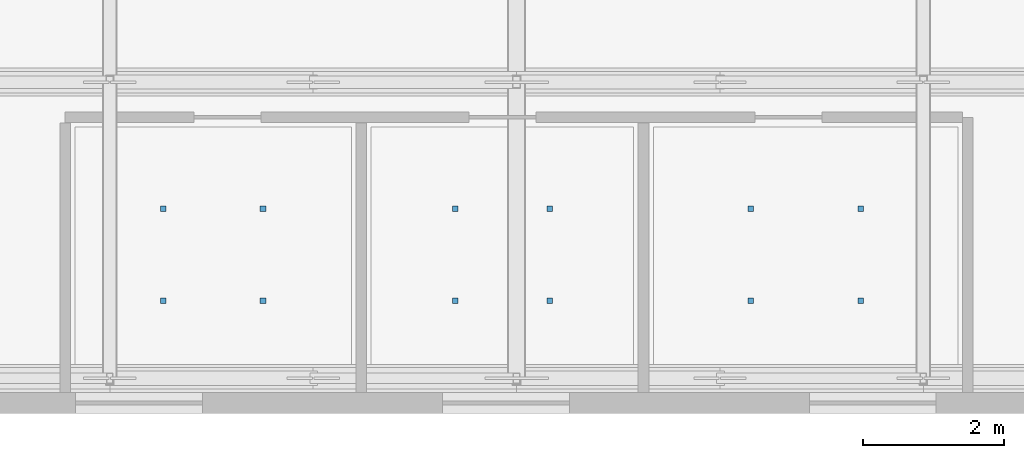
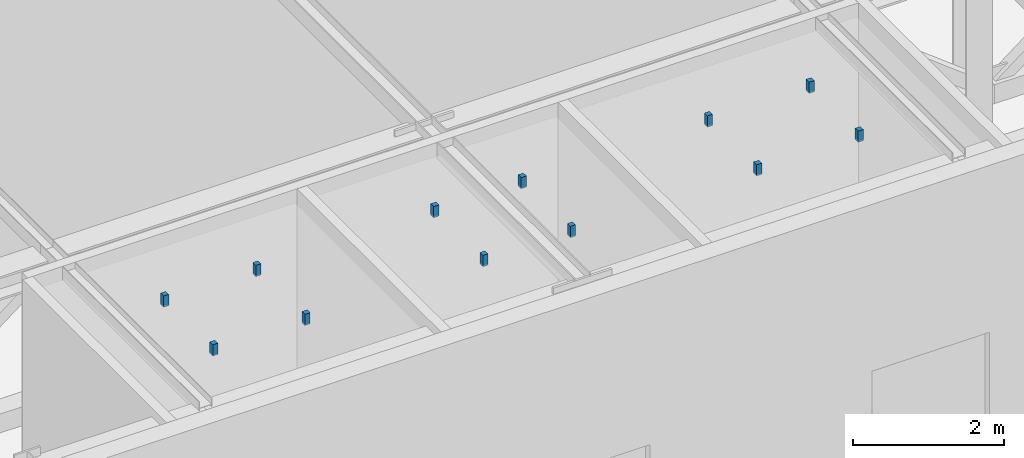
# One storey, part 27 of 29: 12 discrete accessories.
"""IFC4 building model written with IfcOpenShell, lengths in metres."""

import ifcopenshell
import ifcopenshell.guid

model = None  # the IFC model being written
_history = None  # IfcOwnerHistory: only IFC2X3 demands one
_inside = {}  # id of a spatial element -> (the spatial element, [elements in it])
_under = {}  # id of a project, library or spatial element -> (it, [spatial elements below it])
_declared = {}  # id of a project -> (the project, [libraries it declares])
_typed = {}  # id of a type object -> (the type object, [elements of that type])
_made_of = {}  # id of a material, layer set ... -> (it, [elements and type objects made of it])


def new_model(schema):
    """Start an empty IFC model of exactly this schema.

    Asked for "IFC4X3", IfcOpenShell would pick the latest addendum, in which some entities
    have other attributes; the version numbers below select the first issue.
    IFC2X3 requires an IfcOwnerHistory on every rooted entity: one is made here for all.
    """
    global model, _history
    if schema == "IFC4X3":
        model = ifcopenshell.file(schema_version=(4, 3, 0, 0))
    else:
        model = ifcopenshell.file(schema=schema)
    _inside.clear()
    _under.clear()
    _declared.clear()
    _typed.clear()
    _made_of.clear()
    _history = None
    if model.schema == "IFC2X3":
        org = make("IfcOrganization", Name="unknown")
        user = make(
            "IfcPersonAndOrganization",
            ThePerson=make("IfcPerson", FamilyName="unknown"),
            TheOrganization=org,
        )
        app = make(
            "IfcApplication",
            ApplicationDeveloper=org,
            Version="unknown",
            ApplicationFullName="unknown",
            ApplicationIdentifier="unknown",
        )
        _history = make(
            "IfcOwnerHistory",
            OwningUser=user,
            OwningApplication=app,
            ChangeAction="ADDED",
            CreationDate=0,
        )
    return model


def make(cls, **values):
    """One entity of the class cls with the attributes given. An attribute that is None is left unset."""
    return model.create_entity(
        cls, **{name: value for name, value in values.items() if value is not None}
    )


def rooted(cls, **values):
    """An entity with a GlobalId (a new one), such as an element, a storey or a relation."""
    return make(cls, GlobalId=ifcopenshell.guid.new(), OwnerHistory=_history, **values)


def si_unit(unit_type, name, prefix=None):
    """IfcSIUnit, for example si_unit("LENGTHUNIT", "METRE", prefix="MILLI")."""
    return make("IfcSIUnit", UnitType=unit_type, Prefix=prefix, Name=name)


def assignment(units):
    """IfcUnitAssignment: the units of a project."""
    return None if units is None else make("IfcUnitAssignment", Units=units)


def point(xyz):
    """IfcCartesianPoint."""
    return None if xyz is None else make("IfcCartesianPoint", Coordinates=xyz)


def direction(xyz):
    """IfcDirection."""
    return None if xyz is None else make("IfcDirection", DirectionRatios=xyz)


def frame(location, z_axis=None, x_axis=None):
    """IfcAxis2Placement3D, a coordinate frame: its origin and axes. An axis left out is left unset."""
    return make(
        "IfcAxis2Placement3D",
        Location=point(location),
        Axis=direction(z_axis),
        RefDirection=direction(x_axis),
    )


def frame_2d(location, x_axis=None):
    """IfcAxis2Placement2D, a coordinate frame in the plane: its origin and x axis."""
    return make(
        "IfcAxis2Placement2D", Location=point(location), RefDirection=direction(x_axis)
    )


def origin():
    """The frame at (0, 0, 0) with its axes left unset."""
    return frame((0.0, 0.0, 0.0))


def origin_2d():
    """The frame at (0, 0) in the plane with its x axis left unset."""
    return frame_2d((0.0, 0.0))


def place(relative_to, where):
    """IfcLocalPlacement: puts the frame where relative to a parent placement (None: the world)."""
    return make(
        "IfcLocalPlacement", PlacementRelTo=relative_to, RelativePlacement=where
    )


def context(
    kind, dimensions, precision=None, world=None, true_north=None, identifier=None
):
    """IfcGeometricRepresentationContext, for example the 3D "Model" context."""
    return make(
        "IfcGeometricRepresentationContext",
        ContextIdentifier=identifier,
        ContextType=kind,
        CoordinateSpaceDimension=dimensions,
        Precision=precision,
        WorldCoordinateSystem=world,
        TrueNorth=true_north,
    )


def subcontext(parent, identifier, kind, view, scale=None):
    """IfcGeometricRepresentationSubContext, for example "Body" below "Model"."""
    return make(
        "IfcGeometricRepresentationSubContext",
        ContextIdentifier=identifier,
        ContextType=kind,
        ParentContext=parent,
        TargetScale=scale,
        TargetView=view,
    )


def project(units=None, contexts=None):
    """IfcProject with its units and contexts."""
    return rooted(
        "IfcProject",
        Name="project",
        RepresentationContexts=contexts,
        UnitsInContext=assignment(units),
    )


def spatial(cls, under=None, at=None, **own):
    """A site, building, storey or space (cls), placed at a placement, below another one or the project."""
    s = rooted(cls, ObjectPlacement=at, **own)
    if under is not None:
        _under.setdefault(under.id(), (under, []))[1].append(s)
    return s


def profile(cls, at=None, kind="AREA", **sizes):
    """A parametric profile (cls). Its sizes go by their IFC names, for example OverallWidth=200.0."""
    return make(cls, ProfileType=kind, Position=at, **sizes)


def rectangle(**sizes):
    """IfcRectangleProfileDef."""
    return profile("IfcRectangleProfileDef", **sizes)


def extrude(swept, where, along, depth):
    """IfcExtrudedAreaSolid: the profile swept, set in the frame where, extruded along a direction by depth."""
    return make(
        "IfcExtrudedAreaSolid",
        SweptArea=swept,
        Position=where,
        ExtrudedDirection=direction(along),
        Depth=depth,
    )


def shape(context_of_items, identifier, shape_type, items):
    """IfcShapeRepresentation: the items that make up one representation, for example the "Body"."""
    return make(
        "IfcShapeRepresentation",
        ContextOfItems=context_of_items,
        RepresentationIdentifier=identifier,
        RepresentationType=shape_type,
        Items=items,
    )


def material(Name=None, Category=None):
    """IfcMaterial."""
    return make("IfcMaterial", Name=Name, Category=Category)


def made_of(thing, what):
    """Note that an element or type object is made of a material, layer set ...; save() writes the relation."""
    if what is not None:
        _made_of.setdefault(what.id(), (what, []))[1].append(thing)
    return thing


def type_object(cls, material=None, **own):
    """A type object (cls), such as IfcWallType, which elements share."""
    return made_of(rooted(cls, **own), material)


def element(
    cls,
    number,
    at=None,
    inside=None,
    cuts=None,
    type_object=None,
    material=None,
    context=None,
    identifier="Body",
    shape_type=None,
    held_by="IfcProductDefinitionShape",
    body=None,
    shapes=None,
    **own,
):
    """One element of the class cls, such as IfcWall. Its Tag is "e" and its number.

    at: its placement. inside: the storey or other place that contains it. cuts: it is an
    opening in that element (IfcRelVoidsElement). A single representation is given by context,
    identifier, shape_type and body (its items); several are given by shapes. held_by: the class
    of the entity that holds the representations. save() writes the other relations.
    """
    e = rooted(cls, Tag="e%d" % number, ObjectPlacement=at, **own)
    if body is not None:
        shapes = [shape(context, identifier, shape_type, body)]
    if shapes is not None:
        e.Representation = make(held_by, Representations=shapes)
    if inside is not None:
        _inside.setdefault(inside.id(), (inside, []))[1].append(e)
    if cuts is not None:
        rooted(
            "IfcRelVoidsElement", RelatingBuildingElement=cuts, RelatedOpeningElement=e
        )
    if type_object is not None:
        _typed.setdefault(type_object.id(), (type_object, []))[1].append(e)
    return made_of(e, material)


def aggregate(whole, parts):
    """IfcRelAggregates: a whole, such as a stair, and the parts it consists of."""
    return rooted("IfcRelAggregates", RelatingObject=whole, RelatedObjects=parts)


def save(model, path):
    """Write the relations noted so far, then the file.

    IfcRelAggregates (storeys below a building ...), IfcRelContainedInSpatialStructure (elements
    in a storey), IfcRelDefinesByType, IfcRelAssociatesMaterial and IfcRelDeclares: one each for
    every whole, place, type object, material and project.
    """
    for whole, parts in _under.values():
        aggregate(whole, parts)
    for where, things in _inside.values():
        rooted(
            "IfcRelContainedInSpatialStructure",
            RelatedElements=things,
            RelatingStructure=where,
        )
    for kind, things in _typed.values():
        rooted("IfcRelDefinesByType", RelatedObjects=things, RelatingType=kind)
    for what, things in _made_of.values():
        rooted("IfcRelAssociatesMaterial", RelatedObjects=things, RelatingMaterial=what)
    for by, libraries in _declared.values():
        rooted("IfcRelDeclares", RelatingContext=by, RelatedDefinitions=libraries)
    model.write(path)


model = new_model("IFC4")

# Units and contexts
model_context = context("Model", 3, precision=1e-05, world=origin(), true_north=direction((0.0, 1.0)))
body_context = subcontext(model_context, "Body", "Model", "MODEL_VIEW")
ifc_project = project(units=[si_unit("LENGTHUNIT", "METRE"), si_unit("AREAUNIT", "SQUARE_METRE"), si_unit("VOLUMEUNIT", "CUBIC_METRE"), si_unit("PLANEANGLEUNIT", "RADIAN"), si_unit("MASSUNIT", "GRAM", prefix="KILO")], contexts=[model_context])

# Site, building, storey
site_placement = place(None, origin())
site = spatial("IfcSite", under=ifc_project, at=site_placement, CompositionType="ELEMENT")
building_placement = place(site_placement, origin())
building = spatial("IfcBuilding", under=site, at=building_placement, Name="Kolvaren Gate Tower and Convention Centre", CompositionType="ELEMENT")
storey_placement = place(building_placement, frame((0.0, 0.0, 21.0)))
storey = spatial("IfcBuildingStorey", under=building, at=storey_placement, Name="L04", CompositionType="ELEMENT", Elevation=21.0)

# Discrete accessories
ifc_material = material(Name="Brushed Stainless Steel Grade 316L", Category="steel")
discrete_accessory_type = type_object("IfcDiscreteAccessoryType", Name="ARCH-ACC-HANGER-80", PredefinedType="BRACKET", material=ifc_material)
for number, where, z_axis, x_axis, name in (
    (1, (74.993896484375, 3.798095703125, 5.06982421875), (0.0, 0.0, 1.0), (1.0, 0.0, 0.0), "Convention L04 Delegate Male Restroom Ceiling Suspension Hanger Clip 1"),
    (2, (76.406005859375, 3.798095703125, 5.06982421875), (0.0, 0.0, 1.0), (1.0, 0.0, 0.0), "Convention L04 Delegate Male Restroom Ceiling Suspension Hanger Clip 2"),
    (3, (74.993896484375, 5.10205078125, 5.06982421875), (0.0, 0.0, 1.0), (1.0, 0.0, 0.0), "Convention L04 Delegate Male Restroom Ceiling Suspension Hanger Clip 3"),
    (4, (76.406005859375, 5.10205078125, 5.06982421875), (0.0, 0.0, 1.0), (1.0, 0.0, 0.0), "Convention L04 Delegate Male Restroom Ceiling Suspension Hanger Clip 4"),
    (5, (79.1298828125, 3.798095703125, 5.06982421875), (0.0, 0.0, 1.0), (1.0, 0.0, 0.0), "Convention L04 Accessible Restroom Ceiling Suspension Hanger Clip 1"),
    (6, (80.469970703125, 3.798095703125, 5.06982421875), (0.0, 0.0, 1.0), (1.0, 0.0, 0.0), "Convention L04 Accessible Restroom Ceiling Suspension Hanger Clip 2"),
    (7, (79.1298828125, 5.10205078125, 5.06982421875), (0.0, 0.0, 1.0), (1.0, 0.0, 0.0), "Convention L04 Accessible Restroom Ceiling Suspension Hanger Clip 3"),
    (8, (80.469970703125, 5.10205078125, 5.06982421875), (0.0, 0.0, 1.0), (1.0, 0.0, 0.0), "Convention L04 Accessible Restroom Ceiling Suspension Hanger Clip 4"),
    (9, (83.322021484375, 3.798095703125, 5.06982421875), (0.0, 0.0, 1.0), (1.0, 0.0, 0.0), "Convention L04 Delegate Female Restroom Ceiling Suspension Hanger Clip 1"),
    (10, (84.8779296875, 3.798095703125, 5.06982421875), (0.0, 0.0, 1.0), (1.0, 0.0, 0.0), "Convention L04 Delegate Female Restroom Ceiling Suspension Hanger Clip 2"),
    (11, (83.322021484375, 5.10205078125, 5.06982421875), (0.0, 0.0, 1.0), (1.0, 0.0, 0.0), "Convention L04 Delegate Female Restroom Ceiling Suspension Hanger Clip 3"),
    (12, (84.8779296875, 5.10205078125, 5.06982421875), (0.0, 0.0, 1.0), (1.0, 0.0, 0.0), "Convention L04 Delegate Female Restroom Ceiling Suspension Hanger Clip 4"),
):
    element("IfcDiscreteAccessory", number, at=place(storey_placement, frame(where, z_axis=z_axis, x_axis=x_axis)), inside=storey, type_object=discrete_accessory_type, Name=name, PredefinedType="BRACKET", context=body_context, shape_type="SweptSolid", body=[
        extrude(rectangle(XDim=0.080078125, YDim=0.080078125, at=origin_2d()), origin(), (0.0, 0.0, 1.0), 0.179931640625),
    ])

save(model, "model.ifc")
